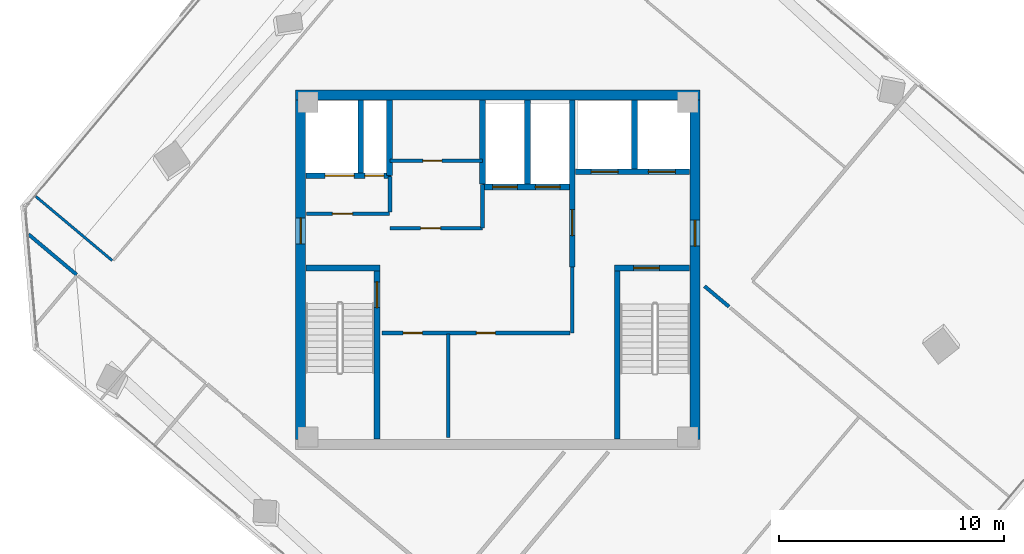
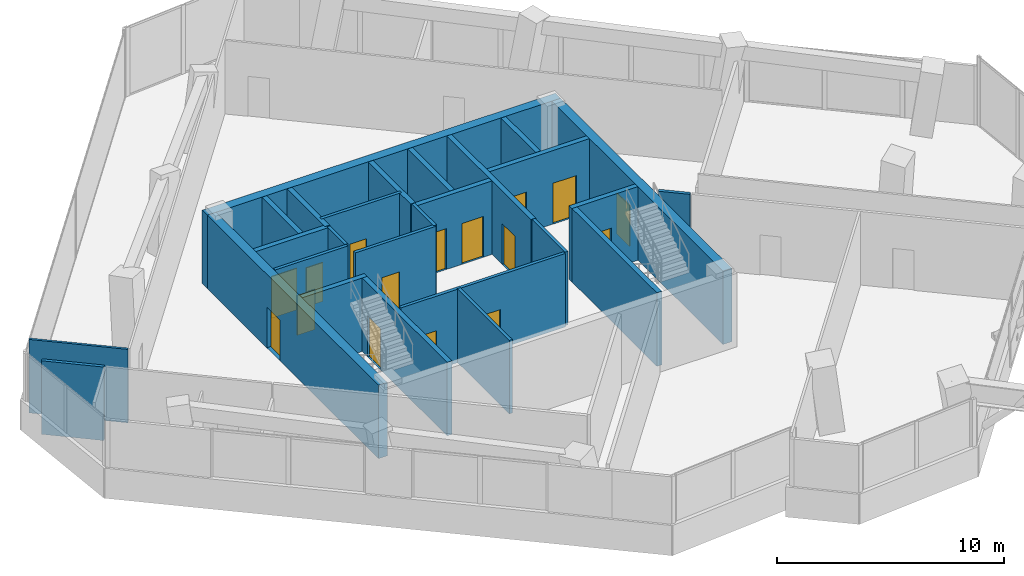
# One storey, part 14 of 18: 27 walls, 16 doors, 16 openings.
"""IFC4 building model written with IfcOpenShell, lengths in metres."""

from ifc_helpers import new_model, si_unit, direction, frame, frame_2d, origin, place, context, subcontext, project, spatial, rectangle, extrude, source, transform, mapped, material, layer, layer_set, type_object, element, fill, save


model = new_model("IFC4")

# Units and contexts
model_context = context("Model", 3, precision=1e-05, world=origin(), true_north=direction((0.0, 1.0)))
body_context = subcontext(model_context, "Body", "Model", "MODEL_VIEW")
ifc_project = project(units=[si_unit("LENGTHUNIT", "METRE"), si_unit("AREAUNIT", "SQUARE_METRE"), si_unit("VOLUMEUNIT", "CUBIC_METRE"), si_unit("PLANEANGLEUNIT", "RADIAN"), si_unit("MASSUNIT", "GRAM", prefix="KILO")], contexts=[model_context])

# Site, building, storey
site_placement = place(None, origin())
site = spatial("IfcSite", under=ifc_project, at=site_placement, CompositionType="ELEMENT")
building_placement = place(site_placement, origin())
building = spatial("IfcBuilding", under=site, at=building_placement, Name="Torre Montelarca", CompositionType="ELEMENT")
storey_placement = place(building_placement, frame((0.0, 0.0, 224.800048828125)))
storey = spatial("IfcBuildingStorey", under=building, at=storey_placement, Name="L50", CompositionType="ELEMENT", Elevation=224.800048828125)

# Wall, opening, door
ifc_material_1 = material(Name="Concrete C40/50", Category="concrete")
ifc_layer_1 = layer(ifc_material_1, 0.25, Name="Concrete C40/50", Category="concrete")
ifc_layer_set_1 = layer_set([ifc_layer_1], Name="Concrete C40/50")
wall_type_1 = type_object("IfcWallType", Name="CW-SHAFT-250", PredefinedType="SHEAR", material=ifc_layer_set_1)
wall_1_placement = place(storey_placement, frame((12.625, 24.4599609375, 0.0), z_axis=(0.0, 0.0, 1.0), x_axis=(0.0, 1.0, 0.0)))
wall_1 = element("IfcWall", 1, at=wall_1_placement, inside=storey, type_object=wall_type_1, Name="L50 Core Shear Wall SH-ST1-E", PredefinedType="SHEAR", context=body_context, shape_type="SweptSolid", body=[
    extrude(rectangle(XDim=7.489990234375, YDim=0.25, at=frame_2d((3.7451171875, 0.0))), origin(), (0.0, 0.0, 1.0), 3.9599609375),
])
opening_1_placement = place(wall_1_placement, frame((5.85009765625, 0.0, 0.0)))
opening_1 = element("IfcOpeningElement", 2, at=opening_1_placement, cuts=wall_1, Name="Opening FD-ST1", PredefinedType="OPENING", context=body_context, shape_type="SweptSolid", body=[
    extrude(rectangle(XDim=1.14990234375, YDim=2.199951171875, at=frame_2d((0.574951171875, 1.10009765625))), frame((0.0, 0.135009765625, 0.0), z_axis=(0.0, -1.0, 0.0), x_axis=(1.0, 0.0, 0.0)), (0.0, 0.0, 1.0), 0.27001953125),
])
ifc_material_2 = material(Name="Galvanized steel fire door", Category="steel")
door_type_1 = type_object("IfcDoorType", Name="DR-STAIR-115", OperationType="NOTDEFINED", PredefinedType="DOOR", material=ifc_material_2)
shared_shape_1 = source(origin(), body_context, "Body", "SweptSolid", [
    extrude(rectangle(XDim=1.14990234375, YDim=2.199951171875, at=frame_2d((0.574951171875, 1.10009765625))), frame((0.0, 0.02490234375, 0.0), z_axis=(0.0, -1.0, 0.0), x_axis=(1.0, 0.0, 0.0)), (0.0, 0.0, 1.0), 0.050048828125),
])
door_1_placement = place(opening_1_placement, origin())
door_1 = element("IfcDoor", 3, at=door_1_placement, inside=storey, type_object=door_type_1, Name="L50 Exit Stair ST1 Fire Door", OperationType="SINGLE_SWING_RIGHT", OverallHeight=2.199951171875, OverallWidth=1.14990234375, PredefinedType="DOOR", context=body_context, shape_type="MappedRepresentation", body=[
    mapped(shared_shape_1, transform((0.0, 0.0, 0.0), scale=1.0)),
])
fill(opening_1, door_1)

# Walls
wall_2_placement = place(storey_placement, frame((9.4599609375, 32.074951171875, 0.0), z_axis=(0.0, 0.0, 1.0), x_axis=(1.0, 0.0, 0.0)))
element("IfcWall", 4, at=wall_2_placement, inside=storey, type_object=wall_type_1, Name="L50 Core Shear Wall SH-ST1-N", PredefinedType="SHEAR", context=body_context, shape_type="SweptSolid", body=[
    extrude(rectangle(XDim=3.2900390625, YDim=0.25, at=frame_2d((1.64501953125, 0.0))), origin(), (0.0, 0.0, 1.0), 3.9599609375),
])
wall_3_placement = place(storey_placement, frame((23.31494140625, 24.4599609375, 0.0), z_axis=(0.0, 0.0, 1.0), x_axis=(0.0, 1.0, 0.0)))
element("IfcWall", 5, at=wall_3_placement, inside=storey, type_object=wall_type_1, Name="L50 Core Shear Wall SH-ST2-W", PredefinedType="SHEAR", context=body_context, shape_type="SweptSolid", body=[
    extrude(rectangle(XDim=7.489990234375, YDim=0.25, at=frame_2d((3.7451171875, 0.0))), origin(), (0.0, 0.0, 1.0), 3.9599609375),
])

# Wall, opening, door
wall_4_placement = place(storey_placement, frame((23.18994140625, 32.074951171875, 0.0), z_axis=(0.0, 0.0, 1.0), x_axis=(1.0, 0.0, 0.0)))
wall_4 = element("IfcWall", 6, at=wall_4_placement, inside=storey, type_object=wall_type_1, Name="L50 Core Shear Wall SH-ST2-N", PredefinedType="SHEAR", context=body_context, shape_type="SweptSolid", body=[
    extrude(rectangle(XDim=3.35009765625, YDim=0.25, at=frame_2d((1.675048828125, 0.0))), origin(), (0.0, 0.0, 1.0), 3.9599609375),
])
opening_2_placement = place(wall_4_placement, frame((0.85009765625, 0.0, 0.0)))
opening_2 = element("IfcOpeningElement", 7, at=opening_2_placement, cuts=wall_4, Name="Opening FD-ST1", PredefinedType="OPENING", context=body_context, shape_type="SweptSolid", body=[
    extrude(rectangle(XDim=1.14990234375, YDim=2.199951171875, at=frame_2d((0.574951171875, 1.10009765625))), frame((0.0, 0.135009765625, 0.0), z_axis=(0.0, -1.0, 0.0), x_axis=(1.0, 0.0, 0.0)), (0.0, 0.0, 1.0), 0.27001953125),
])
door_2_placement = place(opening_2_placement, origin())
door_2 = element("IfcDoor", 8, at=door_2_placement, inside=storey, type_object=door_type_1, Name="L50 Exit Stair ST2 Fire Door", OperationType="SINGLE_SWING_RIGHT", OverallHeight=2.199951171875, OverallWidth=1.14990234375, PredefinedType="DOOR", context=body_context, shape_type="MappedRepresentation", body=[
    mapped(shared_shape_1, transform((0.0, 0.0, 0.0), scale=1.0)),
])
fill(opening_2, door_2)

wall_5_placement = place(storey_placement, frame((21.320068359375, 32.1201171875, 0.0), z_axis=(0.0, 0.0, 1.0), x_axis=(0.0, 1.0, 0.0)))
wall_5 = element("IfcWall", 9, at=wall_5_placement, inside=storey, type_object=wall_type_1, Name="L50 Core Shear Wall SH-FFL-W", PredefinedType="SHEAR", context=body_context, shape_type="SweptSolid", body=[
    extrude(rectangle(XDim=7.419921875, YDim=0.25, at=frame_2d((3.7099609375, 0.0))), origin(), (0.0, 0.0, 1.0), 3.9599609375),
])
opening_3_placement = place(wall_5_placement, frame((1.39990234375, 0.0, 0.0)))
opening_3 = element("IfcOpeningElement", 10, at=opening_3_placement, cuts=wall_5, Name="Opening FD-LB1", PredefinedType="OPENING", context=body_context, shape_type="SweptSolid", body=[
    extrude(rectangle(XDim=1.14990234375, YDim=2.199951171875, at=frame_2d((0.574951171875, 1.10009765625))), frame((0.0, 0.135009765625, 0.0), z_axis=(0.0, -1.0, 0.0), x_axis=(1.0, 0.0, 0.0)), (0.0, 0.0, 1.0), 0.27001953125),
])
ifc_material_3 = material(Name="Acoustic timber-veneered fire door", Category="wood")
door_type_2 = type_object("IfcDoorType", Name="DR-LOBBY-115", OperationType="NOTDEFINED", PredefinedType="DOOR", material=ifc_material_3)
shared_shape_2 = source(origin(), body_context, "Body", "SweptSolid", [
    extrude(rectangle(XDim=1.14990234375, YDim=2.199951171875, at=frame_2d((0.574951171875, 1.10009765625))), frame((0.0, 0.02490234375, 0.0), z_axis=(0.0, -1.0, 0.0), x_axis=(1.0, 0.0, 0.0)), (0.0, 0.0, 1.0), 0.050048828125),
])
door_3_placement = place(opening_3_placement, origin())
door_3 = element("IfcDoor", 11, at=door_3_placement, inside=storey, type_object=door_type_2, Name="L50 Lift Lobby to Firefighting Lobby Smoke Door", OperationType="SINGLE_SWING_LEFT", OverallHeight=2.199951171875, OverallWidth=1.14990234375, PredefinedType="DOOR", context=body_context, shape_type="MappedRepresentation", body=[
    mapped(shared_shape_2, transform((0.0, 0.0, 0.0), scale=1.0)),
])
fill(opening_3, door_3)

# Wall, openings, doors
wall_6_placement = place(storey_placement, frame((9.4599609375, 36.179931640625, 0.0), z_axis=(0.0, 0.0, 1.0), x_axis=(1.0, 0.0, 0.0)))
wall_6 = element("IfcWall", 12, at=wall_6_placement, inside=storey, type_object=wall_type_1, Name="L50 Core Shear Wall SH-SV1-S", PredefinedType="SHEAR", context=body_context, shape_type="SweptSolid", body=[
    extrude(rectangle(XDim=3.7900390625, YDim=0.25, at=frame_2d((1.89501953125, 0.0))), origin(), (0.0, 0.0, 1.0), 3.9599609375),
])
opening_4_placement = place(wall_6_placement, frame((2.6201171875, 0.0, 0.0)))
opening_4 = element("IfcOpeningElement", 13, at=opening_4_placement, cuts=wall_6, Name="Opening FD-085", PredefinedType="OPENING", context=body_context, shape_type="SweptSolid", body=[
    extrude(rectangle(XDim=0.85009765625, YDim=2.10009765625, at=frame_2d((0.425048828125, 1.050048828125))), frame((0.0, 0.135009765625, 0.0), z_axis=(0.0, -1.0, 0.0), x_axis=(1.0, 0.0, 0.0)), (0.0, 0.0, 1.0), 0.27001953125),
])
opening_5_placement = place(wall_6_placement, frame((0.85009765625, 0.0, 0.0)))
opening_5 = element("IfcOpeningElement", 14, at=opening_5_placement, cuts=wall_6, Name="Opening LD-130", PredefinedType="OPENING", context=body_context, shape_type="SweptSolid", body=[
    extrude(rectangle(XDim=1.300048828125, YDim=2.25, at=frame_2d((0.64990234375, 1.125))), frame((0.0, 0.135009765625, 0.0), z_axis=(0.0, -1.0, 0.0), x_axis=(1.0, 0.0, 0.0)), (0.0, 0.0, 1.0), 0.27001953125),
])
ifc_material_4 = material(Name="Steel riser access fire door", Category="steel")
door_type_3 = type_object("IfcDoorType", Name="DR-RISER-085", OperationType="NOTDEFINED", PredefinedType="DOOR", material=ifc_material_4)
shared_shape_3 = source(origin(), body_context, "Body", "SweptSolid", [
    extrude(rectangle(XDim=0.85009765625, YDim=2.10009765625, at=frame_2d((0.425048828125, 1.050048828125))), frame((0.0, 0.02490234375, 0.0), z_axis=(0.0, -1.0, 0.0), x_axis=(1.0, 0.0, 0.0)), (0.0, 0.0, 1.0), 0.050048828125),
])
door_4_placement = place(opening_4_placement, origin())
door_4 = element("IfcDoor", 15, at=door_4_placement, inside=storey, type_object=door_type_3, Name="L50 Electrical Riser Shaft Access Door", OperationType="SINGLE_SWING_RIGHT", OverallHeight=2.10009765625, OverallWidth=0.85009765625, PredefinedType="DOOR", context=body_context, shape_type="MappedRepresentation", body=[
    mapped(shared_shape_3, transform((0.0, 0.0, 0.0), scale=1.0)),
])
fill(opening_4, door_4)
ifc_material_5 = material(Name="Brushed stainless steel AISI 316", Category="steel")
door_type_4 = type_object("IfcDoorType", Name="DR-LIFT-130", OperationType="SLIDING_TO_LEFT", PredefinedType="DOOR", material=ifc_material_5)
shared_shape_4 = source(origin(), body_context, "Body", "SweptSolid", [
    extrude(rectangle(XDim=1.300048828125, YDim=2.25, at=frame_2d((0.64990234375, 1.125))), frame((0.0, 0.02490234375, 0.0), z_axis=(0.0, -1.0, 0.0), x_axis=(1.0, 0.0, 0.0)), (0.0, 0.0, 1.0), 0.050048828125),
])
door_5_placement = place(opening_5_placement, origin())
door_5 = element("IfcDoor", 16, at=door_5_placement, inside=storey, type_object=door_type_4, Name="L50 Lift Landing Sliding Door SV-1", OperationType="SLIDING_TO_LEFT", OverallHeight=2.25, OverallWidth=1.300048828125, PredefinedType="DOOR", context=body_context, shape_type="MappedRepresentation", body=[
    mapped(shared_shape_4, transform((0.0, 0.0, 0.0), scale=1.0)),
])
fill(opening_5, door_5)

# Wall
wall_7_placement = place(storey_placement, frame((11.89990234375, 36.31005859375, 0.0), z_axis=(0.0, 0.0, 1.0), x_axis=(0.0, 1.0, 0.0)))
element("IfcWall", 17, at=wall_7_placement, inside=storey, type_object=wall_type_1, Name="L50 Core Shear Wall SH-SV1-E", PredefinedType="SHEAR", context=body_context, shape_type="SweptSolid", body=[
    extrude(rectangle(XDim=3.22998046875, YDim=0.25, at=frame_2d((1.614990234375, 0.0))), origin(), (0.0, 0.0, 1.0), 3.9599609375),
])

# Wall, openings, doors
wall_8_placement = place(storey_placement, frame((21.449951171875, 36.35009765625, 0.0), z_axis=(0.0, 0.0, 1.0), x_axis=(1.0, 0.0, 0.0)))
wall_8 = element("IfcWall", 18, at=wall_8_placement, inside=storey, type_object=wall_type_1, Name="L50 Core Shear Wall SH-FF-S", PredefinedType="SHEAR", context=body_context, shape_type="SweptSolid", body=[
    extrude(rectangle(XDim=5.090087890625, YDim=0.25, at=frame_2d((2.544921875, 0.0))), origin(), (0.0, 0.0, 1.0), 3.9599609375),
])
opening_6_placement = place(wall_8_placement, frame((0.699951171875, 0.0, 0.0)))
opening_6 = element("IfcOpeningElement", 19, at=opening_6_placement, cuts=wall_8, Name="Opening LD-120", PredefinedType="OPENING", context=body_context, shape_type="SweptSolid", body=[
    extrude(rectangle(XDim=1.199951171875, YDim=2.199951171875, at=frame_2d((0.60009765625, 1.10009765625))), frame((0.0, 0.135009765625, 0.0), z_axis=(0.0, -1.0, 0.0), x_axis=(1.0, 0.0, 0.0)), (0.0, 0.0, 1.0), 0.27001953125),
])
opening_7_placement = place(wall_8_placement, frame((3.25, 0.0, 0.0)))
opening_7 = element("IfcOpeningElement", 20, at=opening_7_placement, cuts=wall_8, Name="Opening LD-120", PredefinedType="OPENING", context=body_context, shape_type="SweptSolid", body=[
    extrude(rectangle(XDim=1.199951171875, YDim=2.199951171875, at=frame_2d((0.60009765625, 1.10009765625))), frame((0.0, 0.135009765625, 0.0), z_axis=(0.0, -1.0, 0.0), x_axis=(1.0, 0.0, 0.0)), (0.0, 0.0, 1.0), 0.27001953125),
])
door_type_5 = type_object("IfcDoorType", Name="DR-LIFT-120", OperationType="SLIDING_TO_RIGHT", PredefinedType="DOOR", material=ifc_material_5)
shared_shape_5 = source(origin(), body_context, "Body", "SweptSolid", [
    extrude(rectangle(XDim=1.199951171875, YDim=2.199951171875, at=frame_2d((0.60009765625, 1.10009765625))), frame((0.0, 0.02490234375, 0.0), z_axis=(0.0, -1.0, 0.0), x_axis=(1.0, 0.0, 0.0)), (0.0, 0.0, 1.0), 0.050048828125),
])
door_6_placement = place(opening_6_placement, origin())
door_6 = element("IfcDoor", 21, at=door_6_placement, inside=storey, type_object=door_type_5, Name="L50 Lift Landing Sliding Door FF-1", OperationType="SLIDING_TO_LEFT", OverallHeight=2.199951171875, OverallWidth=1.199951171875, PredefinedType="DOOR", context=body_context, shape_type="MappedRepresentation", body=[
    mapped(shared_shape_5, transform((0.0, 0.0, 0.0), scale=1.0)),
])
fill(opening_6, door_6)
door_7_placement = place(opening_7_placement, origin())
door_7 = element("IfcDoor", 22, at=door_7_placement, inside=storey, type_object=door_type_5, Name="L50 Lift Landing Sliding Door FF-2", OperationType="SLIDING_TO_RIGHT", OverallHeight=2.199951171875, OverallWidth=1.199951171875, PredefinedType="DOOR", context=body_context, shape_type="MappedRepresentation", body=[
    mapped(shared_shape_5, transform((0.0, 0.0, 0.0), scale=1.0)),
])
fill(opening_7, door_7)

# Walls
wall_9_placement = place(storey_placement, frame((24.080078125, 36.47998046875, 0.0), z_axis=(0.0, 0.0, 1.0), x_axis=(0.0, 1.0, 0.0)))
element("IfcWall", 23, at=wall_9_placement, inside=storey, type_object=wall_type_1, Name="L50 Core Shear Wall SH-FF-M", PredefinedType="SHEAR", context=body_context, shape_type="SweptSolid", body=[
    extrude(rectangle(XDim=3.06005859375, YDim=0.25, at=frame_2d((1.530029296875, 0.0))), origin(), (0.0, 0.0, 1.0), 3.9599609375),
])
wall_10_placement = place(storey_placement, frame((13.179931640625, 36.199951171875, 0.0), z_axis=(0.0, 0.0, 1.0), x_axis=(0.0, 1.0, 0.0)))
element("IfcWall", 24, at=wall_10_placement, inside=storey, type_object=wall_type_1, Name="L50 Core Shear Wall SH-RSR1-E", PredefinedType="SHEAR", context=body_context, shape_type="SweptSolid", body=[
    extrude(rectangle(XDim=3.340087890625, YDim=0.25, at=frame_2d((1.669921875, 0.0))), origin(), (0.0, 0.0, 1.0), 3.9599609375),
])

# Wall, openings, doors
wall_11_placement = place(storey_placement, frame((17.320068359375, 35.679931640625, 0.0), z_axis=(0.0, 0.0, 1.0), x_axis=(1.0, 0.0, 0.0)))
wall_11 = element("IfcWall", 25, at=wall_11_placement, inside=storey, type_object=wall_type_1, Name="L50 Core Shear Wall SH-PLH-S", PredefinedType="SHEAR", context=body_context, shape_type="SweptSolid", body=[
    extrude(rectangle(XDim=3.869873046875, YDim=0.25, at=frame_2d((1.93505859375, 0.0))), origin(), (0.0, 0.0, 1.0), 3.9599609375),
])
opening_8_placement = place(wall_11_placement, frame((0.449951171875, 0.0, 0.0)))
opening_8 = element("IfcOpeningElement", 26, at=opening_8_placement, cuts=wall_11, Name="Opening LD-110", PredefinedType="OPENING", context=body_context, shape_type="SweptSolid", body=[
    extrude(rectangle(XDim=1.10009765625, YDim=2.199951171875, at=frame_2d((0.550048828125, 1.10009765625))), frame((0.0, 0.135009765625, 0.0), z_axis=(0.0, -1.0, 0.0), x_axis=(1.0, 0.0, 0.0)), (0.0, 0.0, 1.0), 0.27001953125),
])
opening_9_placement = place(wall_11_placement, frame((2.35009765625, 0.0, 0.0)))
opening_9 = element("IfcOpeningElement", 27, at=opening_9_placement, cuts=wall_11, Name="Opening LD-110", PredefinedType="OPENING", context=body_context, shape_type="SweptSolid", body=[
    extrude(rectangle(XDim=1.10009765625, YDim=2.199951171875, at=frame_2d((0.550048828125, 1.10009765625))), frame((0.0, 0.135009765625, 0.0), z_axis=(0.0, -1.0, 0.0), x_axis=(1.0, 0.0, 0.0)), (0.0, 0.0, 1.0), 0.27001953125),
])
door_type_6 = type_object("IfcDoorType", Name="DR-LIFT-110", OperationType="SLIDING_TO_LEFT", PredefinedType="DOOR", material=ifc_material_5)
shared_shape_6 = source(origin(), body_context, "Body", "SweptSolid", [
    extrude(rectangle(XDim=1.10009765625, YDim=2.199951171875, at=frame_2d((0.550048828125, 1.10009765625))), frame((0.0, 0.02490234375, 0.0), z_axis=(0.0, -1.0, 0.0), x_axis=(1.0, 0.0, 0.0)), (0.0, 0.0, 1.0), 0.050048828125),
])
door_8_placement = place(opening_8_placement, origin())
door_8 = element("IfcDoor", 28, at=door_8_placement, inside=storey, type_object=door_type_6, Name="L50 Lift Landing Sliding Door PL-H1", OperationType="SLIDING_TO_LEFT", OverallHeight=2.199951171875, OverallWidth=1.10009765625, PredefinedType="DOOR", context=body_context, shape_type="MappedRepresentation", body=[
    mapped(shared_shape_6, transform((0.0, 0.0, 0.0), scale=1.0)),
])
fill(opening_8, door_8)
door_9_placement = place(opening_9_placement, origin())
door_9 = element("IfcDoor", 29, at=door_9_placement, inside=storey, type_object=door_type_6, Name="L50 Lift Landing Sliding Door PL-H2", OperationType="SLIDING_TO_RIGHT", OverallHeight=2.199951171875, OverallWidth=1.10009765625, PredefinedType="DOOR", context=body_context, shape_type="MappedRepresentation", body=[
    mapped(shared_shape_6, transform((0.0, 0.0, 0.0), scale=1.0)),
])
fill(opening_9, door_9)

# Walls
for number, where, z_axis, x_axis, name in (
    (30, (17.320068359375, 35.81005859375, 0.0), (0.0, 0.0, 1.0), (0.0, 1.0, 0.0), "L50 Core Shear Wall SH-PLH-W"),
    (31, (19.320068359375, 35.81005859375, 0.0), (0.0, 0.0, 1.0), (0.0, 1.0, 0.0), "L50 Core Shear Wall SH-PLH-M"),
):
    element("IfcWall", number, at=place(storey_placement, frame(where, z_axis=z_axis, x_axis=x_axis)), inside=storey, type_object=wall_type_1, Name=name, PredefinedType="SHEAR", context=body_context, shape_type="SweptSolid", body=[
        extrude(rectangle(XDim=3.72998046875, YDim=0.25, at=frame_2d((1.864990234375, 0.0))), origin(), (0.0, 0.0, 1.0), 3.9599609375),
    ])

# Wall, opening, door
ifc_material_6 = material(Name="Concrete C55/67", Category="concrete")
ifc_layer_2 = layer(ifc_material_6, 0.449951171875, Name="Concrete C55/67", Category="concrete")
ifc_layer_set_2 = layer_set([ifc_layer_2], Name="Concrete C55/67")
wall_type_2 = type_object("IfcWallType", Name="CW-SHEAR-450", PredefinedType="SHEAR", material=ifc_layer_set_2)
wall_12_placement = place(storey_placement, frame((9.22509765625, 24.449951171875, 0.0), z_axis=(0.0, 0.0, 1.0), x_axis=(0.0, 1.0, 0.0)))
wall_12 = element("IfcWall", 32, at=wall_12_placement, inside=storey, type_object=wall_type_2, Name="L50 Core Shear Wall CW-W", PredefinedType="SHEAR", context=body_context, shape_type="SweptSolid", body=[
    extrude(rectangle(XDim=15.10009765625, YDim=0.449951171875, at=frame_2d((7.550048828125, 0.0))), origin(), (0.0, 0.0, 1.0), 3.9599609375),
])
opening_10_placement = place(wall_12_placement, frame((8.699951171875, 0.0, 0.0)))
opening_10 = element("IfcOpeningElement", 33, at=opening_10_placement, cuts=wall_12, Name="Opening FD-LB1", PredefinedType="OPENING", context=body_context, shape_type="SweptSolid", body=[
    extrude(rectangle(XDim=1.14990234375, YDim=2.199951171875, at=frame_2d((0.574951171875, 1.10009765625))), frame((0.0, 0.23486328125, 0.0), z_axis=(0.0, -1.0, 0.0), x_axis=(1.0, 0.0, 0.0)), (0.0, 0.0, 1.0), 0.469970703125),
])
door_10_placement = place(opening_10_placement, origin())
door_10 = element("IfcDoor", 34, at=door_10_placement, inside=storey, type_object=door_type_2, Name="L50 Passenger Lift Lobby West Corridor Fire Door", OperationType="SINGLE_SWING_RIGHT", OverallHeight=2.199951171875, OverallWidth=1.14990234375, PredefinedType="DOOR", context=body_context, shape_type="MappedRepresentation", body=[
    mapped(shared_shape_2, transform((0.0, 0.0, 0.0), scale=1.0)),
])
fill(opening_10, door_10)

wall_13_placement = place(storey_placement, frame((26.77490234375, 24.449951171875, 0.0), z_axis=(0.0, 0.0, 1.0), x_axis=(0.0, 1.0, 0.0)))
wall_13 = element("IfcWall", 35, at=wall_13_placement, inside=storey, type_object=wall_type_2, Name="L50 Core Shear Wall CW-E", PredefinedType="SHEAR", context=body_context, shape_type="SweptSolid", body=[
    extrude(rectangle(XDim=15.10009765625, YDim=0.449951171875, at=frame_2d((7.550048828125, 0.0))), origin(), (0.0, 0.0, 1.0), 3.9599609375),
])
opening_11_placement = place(wall_13_placement, frame((8.60009765625, 0.0, 0.0)))
opening_11 = element("IfcOpeningElement", 36, at=opening_11_placement, cuts=wall_13, Name="Opening FD-LB1", PredefinedType="OPENING", context=body_context, shape_type="SweptSolid", body=[
    extrude(rectangle(XDim=1.14990234375, YDim=2.199951171875, at=frame_2d((0.574951171875, 1.10009765625))), frame((0.0, 0.23486328125, 0.0), z_axis=(0.0, -1.0, 0.0), x_axis=(1.0, 0.0, 0.0)), (0.0, 0.0, 1.0), 0.469970703125),
])
door_11_placement = place(opening_11_placement, origin())
door_11 = element("IfcDoor", 37, at=door_11_placement, inside=storey, type_object=door_type_2, Name="L50 Firefighting Lift Lobby Corridor Fire Door", OperationType="SINGLE_SWING_RIGHT", OverallHeight=2.199951171875, OverallWidth=1.14990234375, PredefinedType="DOOR", context=body_context, shape_type="MappedRepresentation", body=[
    mapped(shared_shape_2, transform((0.0, 0.0, 0.0), scale=1.0)),
])
fill(opening_11, door_11)

# Wall
wall_14_placement = place(storey_placement, frame((9.0, 39.77490234375, 0.0), z_axis=(0.0, 0.0, 1.0), x_axis=(1.0, 0.0, 0.0)))
element("IfcWall", 38, at=wall_14_placement, inside=storey, type_object=wall_type_2, Name="L50 Core Shear Wall CW-N1", PredefinedType="SHEAR", context=body_context, shape_type="SweptSolid", body=[
    extrude(rectangle(XDim=18.0, YDim=0.449951171875, at=frame_2d((9.0, 0.0))), origin(), (0.0, 0.0, 1.0), 3.9599609375),
])

# Wall, opening, door
ifc_material_7 = material(Name="Gypsum plasterboard on steel stud", Category="steel")
ifc_layer_3 = layer(ifc_material_7, 0.159912109375, Name="Gypsum plasterboard on steel stud", Category="steel")
ifc_layer_set_3 = layer_set([ifc_layer_3], Name="Gypsum plasterboard on steel stud")
wall_type_3 = type_object("IfcWallType", Name="PW-FIRE-160", PredefinedType="PARTITIONING", material=ifc_layer_set_3)
wall_15_placement = place(storey_placement, frame((9.489990234375, 34.47998046875, 0.0), z_axis=(0.0, 0.0, 1.0), x_axis=(1.0, 0.0, 0.0)))
wall_15 = element("IfcWall", 39, at=wall_15_placement, inside=storey, type_object=wall_type_3, Name="L50 Interior Partition CW-L50-SVS", PredefinedType="PARTITIONING", context=body_context, shape_type="SweptSolid", body=[
    extrude(rectangle(XDim=3.699951171875, YDim=0.159912109375, at=frame_2d((1.85009765625, 0.0))), origin(), (0.0, 0.0, 1.0), 3.9599609375),
])
opening_12_placement = place(wall_15_placement, frame((1.14990234375, 0.0, 0.0)))
opening_12 = element("IfcOpeningElement", 40, at=opening_12_placement, cuts=wall_15, Name="Opening FD-090", PredefinedType="OPENING", context=body_context, shape_type="SweptSolid", body=[
    extrude(rectangle(XDim=0.89990234375, YDim=2.14990234375, at=frame_2d((0.449951171875, 1.074951171875))), frame((0.0, 0.08984375, 0.0), z_axis=(0.0, -1.0, 0.0), x_axis=(1.0, 0.0, 0.0)), (0.0, 0.0, 1.0), 0.179931640625),
])
ifc_material_8 = material(Name="Steel service fire door", Category="steel")
door_type_7 = type_object("IfcDoorType", Name="DR-FIRE-090", OperationType="NOTDEFINED", PredefinedType="DOOR", material=ifc_material_8)
shared_shape_7 = source(origin(), body_context, "Body", "SweptSolid", [
    extrude(rectangle(XDim=0.89990234375, YDim=2.14990234375, at=frame_2d((0.449951171875, 1.074951171875))), frame((0.0, 0.02490234375, 0.0), z_axis=(0.0, -1.0, 0.0), x_axis=(1.0, 0.0, 0.0)), (0.0, 0.0, 1.0), 0.050048828125),
])
door_12_placement = place(opening_12_placement, origin())
door_12 = element("IfcDoor", 41, at=door_12_placement, inside=storey, type_object=door_type_7, Name="L50 Interior Door 01", OperationType="SINGLE_SWING_RIGHT", OverallHeight=2.14990234375, OverallWidth=0.89990234375, PredefinedType="DOOR", context=body_context, shape_type="MappedRepresentation", body=[
    mapped(shared_shape_7, transform((0.0, 0.0, 0.0), scale=1.0)),
])
fill(opening_12, door_12)

# Wall
wall_16_placement = place(storey_placement, frame((13.199951171875, 34.570068359375, 0.0), z_axis=(0.0, 0.0, 1.0), x_axis=(0.0, 1.0, 0.0)))
element("IfcWall", 42, at=wall_16_placement, inside=storey, type_object=wall_type_3, Name="L50 Interior Partition CW-L50-SVE", PredefinedType="PARTITIONING", context=body_context, shape_type="SweptSolid", body=[
    extrude(rectangle(XDim=1.56982421875, YDim=0.159912109375, at=frame_2d((0.784912109375, 0.0))), origin(), (0.0, 0.0, 1.0), 3.9599609375),
])

# Wall, opening, door
wall_17_placement = place(storey_placement, frame((13.2099609375, 33.85009765625, 0.0), z_axis=(0.0, 0.0, 1.0), x_axis=(1.0, 0.0, 0.0)))
wall_17 = element("IfcWall", 43, at=wall_17_placement, inside=storey, type_object=wall_type_3, Name="L50 Interior Partition CW-L50-FRMS", PredefinedType="PARTITIONING", context=body_context, shape_type="SweptSolid", body=[
    extrude(rectangle(XDim=4.10009765625, YDim=0.159912109375, at=frame_2d((2.050048828125, 0.0))), origin(), (0.0, 0.0, 1.0), 3.9599609375),
])
opening_13_placement = place(wall_17_placement, frame((1.35009765625, 0.0, 0.0)))
opening_13 = element("IfcOpeningElement", 44, at=opening_13_placement, cuts=wall_17, Name="Opening FD-090", PredefinedType="OPENING", context=body_context, shape_type="SweptSolid", body=[
    extrude(rectangle(XDim=0.89990234375, YDim=2.14990234375, at=frame_2d((0.449951171875, 1.074951171875))), frame((0.0, 0.08984375, 0.0), z_axis=(0.0, -1.0, 0.0), x_axis=(1.0, 0.0, 0.0)), (0.0, 0.0, 1.0), 0.179931640625),
])
door_13_placement = place(opening_13_placement, origin())
door_13 = element("IfcDoor", 45, at=door_13_placement, inside=storey, type_object=door_type_7, Name="L50 Interior Door 02", OperationType="SINGLE_SWING_LEFT", OverallHeight=2.14990234375, OverallWidth=0.89990234375, PredefinedType="DOOR", context=body_context, shape_type="MappedRepresentation", body=[
    mapped(shared_shape_7, transform((0.0, 0.0, 0.0), scale=1.0)),
])
fill(opening_13, door_13)

# Wall
wall_18_placement = place(storey_placement, frame((17.320068359375, 33.860107421875, 0.0), z_axis=(0.0, 0.0, 1.0), x_axis=(0.0, 1.0, 0.0)))
element("IfcWall", 46, at=wall_18_placement, inside=storey, type_object=wall_type_3, Name="L50 Interior Partition CW-L50-FRME", PredefinedType="PARTITIONING", context=body_context, shape_type="SweptSolid", body=[
    extrude(rectangle(XDim=1.929931640625, YDim=0.159912109375, at=frame_2d((0.96484375, 0.0))), origin(), (0.0, 0.0, 1.0), 3.9599609375),
])

# Wall, opening, door
wall_19_placement = place(storey_placement, frame((13.2099609375, 36.85009765625, 0.0), z_axis=(0.0, 0.0, 1.0), x_axis=(1.0, 0.0, 0.0)))
wall_19 = element("IfcWall", 47, at=wall_19_placement, inside=storey, type_object=wall_type_3, Name="L50 Interior Partition CW-L50-FRMD", PredefinedType="PARTITIONING", context=body_context, shape_type="SweptSolid", body=[
    extrude(rectangle(XDim=4.10009765625, YDim=0.159912109375, at=frame_2d((2.050048828125, 0.0))), origin(), (0.0, 0.0, 1.0), 3.9599609375),
])
opening_14_placement = place(wall_19_placement, frame((1.449951171875, 0.0, 0.0)))
opening_14 = element("IfcOpeningElement", 48, at=opening_14_placement, cuts=wall_19, Name="Opening FD-085", PredefinedType="OPENING", context=body_context, shape_type="SweptSolid", body=[
    extrude(rectangle(XDim=0.85009765625, YDim=2.10009765625, at=frame_2d((0.425048828125, 1.050048828125))), frame((0.0, 0.08984375, 0.0), z_axis=(0.0, -1.0, 0.0), x_axis=(1.0, 0.0, 0.0)), (0.0, 0.0, 1.0), 0.179931640625),
])
door_14_placement = place(opening_14_placement, origin())
door_14 = element("IfcDoor", 49, at=door_14_placement, inside=storey, type_object=door_type_3, Name="L50 Interior Door 03", OperationType="SINGLE_SWING_RIGHT", OverallHeight=2.10009765625, OverallWidth=0.85009765625, PredefinedType="DOOR", context=body_context, shape_type="MappedRepresentation", body=[
    mapped(shared_shape_3, transform((0.0, 0.0, 0.0), scale=1.0)),
])
fill(opening_14, door_14)

# Wall, openings, doors
wall_20_placement = place(storey_placement, frame((12.840087890625, 29.179931640625, 0.0), z_axis=(0.0, 0.0, 1.0), x_axis=(1.0, 0.0, 0.0)))
wall_20 = element("IfcWall", 50, at=wall_20_placement, inside=storey, type_object=wall_type_3, Name="L50 Interior Partition CW-L50-FRDN", PredefinedType="PARTITIONING", context=body_context, shape_type="SweptSolid", body=[
    extrude(rectangle(XDim=8.369873046875, YDim=0.159912109375, at=frame_2d((4.18505859375, 0.0))), origin(), (0.0, 0.0, 1.0), 3.9599609375),
])
opening_15_placement = place(wall_20_placement, frame((0.949951171875, 0.0, 0.0)))
opening_15 = element("IfcOpeningElement", 51, at=opening_15_placement, cuts=wall_20, Name="Opening FD-085", PredefinedType="OPENING", context=body_context, shape_type="SweptSolid", body=[
    extrude(rectangle(XDim=0.85009765625, YDim=2.10009765625, at=frame_2d((0.425048828125, 1.050048828125))), frame((0.0, 0.08984375, 0.0), z_axis=(0.0, -1.0, 0.0), x_axis=(1.0, 0.0, 0.0)), (0.0, 0.0, 1.0), 0.179931640625),
])
opening_16_placement = place(wall_20_placement, frame((4.199951171875, 0.0, 0.0)))
opening_16 = element("IfcOpeningElement", 52, at=opening_16_placement, cuts=wall_20, Name="Opening FD-085", PredefinedType="OPENING", context=body_context, shape_type="SweptSolid", body=[
    extrude(rectangle(XDim=0.85009765625, YDim=2.10009765625, at=frame_2d((0.425048828125, 1.050048828125))), frame((0.0, 0.08984375, 0.0), z_axis=(0.0, -1.0, 0.0), x_axis=(1.0, 0.0, 0.0)), (0.0, 0.0, 1.0), 0.179931640625),
])
door_15_placement = place(opening_15_placement, origin())
door_15 = element("IfcDoor", 53, at=door_15_placement, inside=storey, type_object=door_type_3, Name="L50 Interior Door 04", OperationType="SINGLE_SWING_LEFT", OverallHeight=2.10009765625, OverallWidth=0.85009765625, PredefinedType="DOOR", context=body_context, shape_type="MappedRepresentation", body=[
    mapped(shared_shape_3, transform((0.0, 0.0, 0.0), scale=1.0)),
])
fill(opening_15, door_15)
door_16_placement = place(opening_16_placement, origin())
door_16 = element("IfcDoor", 54, at=door_16_placement, inside=storey, type_object=door_type_3, Name="L50 Interior Door 05", OperationType="SINGLE_SWING_RIGHT", OverallHeight=2.10009765625, OverallWidth=0.85009765625, PredefinedType="DOOR", context=body_context, shape_type="MappedRepresentation", body=[
    mapped(shared_shape_3, transform((0.0, 0.0, 0.0), scale=1.0)),
])
fill(opening_16, door_16)

# Walls
wall_21_placement = place(storey_placement, frame((15.800048828125, 24.5400390625, 0.0), z_axis=(0.0, 0.0, 1.0), x_axis=(0.0, 1.0, 0.0)))
element("IfcWall", 55, at=wall_21_placement, inside=storey, type_object=wall_type_3, Name="L50 Interior Partition CW-L50-FRD1", PredefinedType="PARTITIONING", context=body_context, shape_type="SweptSolid", body=[
    extrude(rectangle(XDim=4.599853515625, YDim=0.159912109375, at=frame_2d((2.2998046875, 0.0))), origin(), (0.0, 0.0, 1.0), 3.9599609375),
])
wall_22_placement = place(storey_placement, frame((21.320068359375, 29.18994140625, 0.0), z_axis=(0.0, 0.0, 1.0), x_axis=(0.0, 1.0, 0.0)))
element("IfcWall", 56, at=wall_22_placement, inside=storey, type_object=wall_type_3, Name="L50 Interior Partition CW-L50-FRE", PredefinedType="PARTITIONING", context=body_context, shape_type="SweptSolid", body=[
    extrude(rectangle(XDim=2.920166015625, YDim=0.159912109375, at=frame_2d((1.4599609375, 0.0))), origin(), (0.0, 0.0, 1.0), 3.9599609375),
])
wall_23_placement = place(storey_placement, frame((-2.885986328125, 33.572998046875, 0.0), z_axis=(0.0, 0.0, 1.0), x_axis=(0.766060058075, -0.642769000048, 0.0)))
element("IfcWall", 57, at=wall_23_placement, inside=storey, type_object=wall_type_3, Name="L50 Interior Partition W-L50-SOCCW", PredefinedType="PARTITIONING", context=body_context, shape_type="SweptSolid", body=[
    extrude(rectangle(XDim=2.802001953125, YDim=0.159912109375, at=frame_2d((1.40087890625, 0.0))), origin(), (0.0, 0.0, 1.0), 3.9599609375),
])
wall_24_placement = place(storey_placement, frame((27.2001953125, 31.263671875, 0.0), z_axis=(0.0, 0.0, 1.0), x_axis=(0.766046809659, -0.642784789344, 0.0)))
element("IfcWall", 58, at=wall_24_placement, inside=storey, type_object=wall_type_3, Name="L50 Interior Partition W-L50-SOCCN3", PredefinedType="PARTITIONING", context=body_context, shape_type="SweptSolid", body=[
    extrude(rectangle(XDim=1.420166015625, YDim=0.159912109375, at=frame_2d((0.7099609375, 0.0))), origin(), (0.0, 0.0, 1.0), 3.9599609375),
])
ifc_layer_4 = layer(ifc_material_7, 0.114990234375, Name="Gypsum plasterboard on steel stud", Category="steel")
ifc_layer_set_4 = layer_set([ifc_layer_4], Name="Gypsum plasterboard on steel stud")
wall_type_4 = type_object("IfcWallType", Name="PW-PART-115", PredefinedType="PARTITIONING", material=ifc_layer_set_4)
wall_25_placement = place(storey_placement, frame((-2.55615234375, 35.25439453125, 0.0), z_axis=(0.0, 0.0, 1.0), x_axis=(0.76603046424, -0.642804268698, 0.0)))
element("IfcWall", 59, at=wall_25_placement, inside=storey, type_object=wall_type_4, Name="L50 Interior Partition W-L50-WWGS", PredefinedType="PARTITIONING", context=body_context, shape_type="SweptSolid", body=[
    extrude(rectangle(XDim=4.429931640625, YDim=0.114990234375, at=frame_2d((2.21484375, 0.0))), origin(), (0.0, 0.0, 1.0), 3.9599609375),
])

save(model, "model.ifc")
